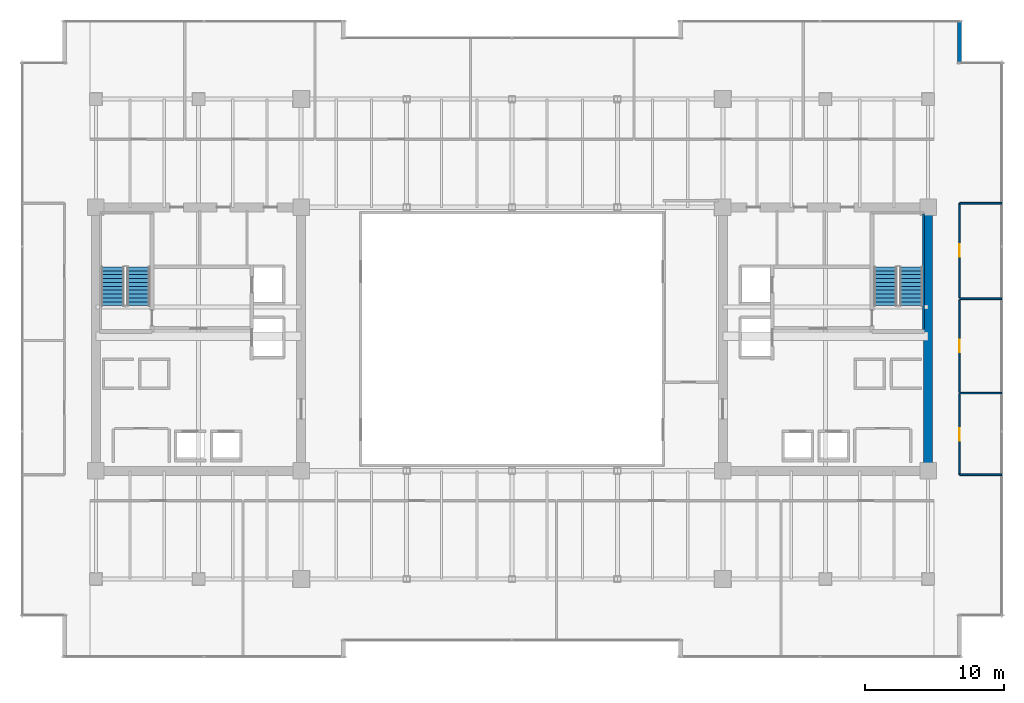
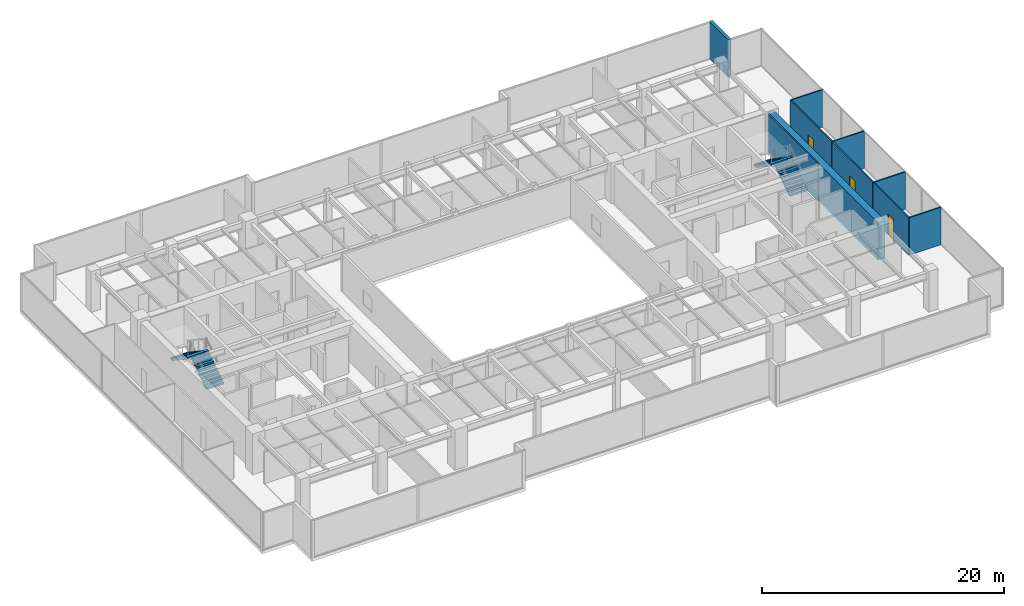
# One storey, part 28 of 33: 10 walls, 4 stair flights, 3 doors, 3 openings, 2 elements without a shape of their own.
"""IFC4 building model written with IfcOpenShell, lengths in metres."""

from ifc_helpers import new_model, si_unit, direction, frame, frame_2d, origin, place, context, subcontext, project, spatial, polyline, rectangle, outline, extrude, source, transform, mapped, material, layer, layer_set, type_object, type_shapes, element, fill, aggregate, save


model = new_model("IFC4")

# Units and contexts
model_context = context("Model", 3, precision=1e-05, world=origin(), true_north=direction((0.0, 1.0)))
body_context = subcontext(model_context, "Body", "Model", "MODEL_VIEW")
ifc_project = project(units=[si_unit("LENGTHUNIT", "METRE"), si_unit("AREAUNIT", "SQUARE_METRE"), si_unit("VOLUMEUNIT", "CUBIC_METRE"), si_unit("PLANEANGLEUNIT", "RADIAN"), si_unit("MASSUNIT", "GRAM", prefix="KILO")], contexts=[model_context])

# Site, building, storey
site_placement = place(None, origin())
site = spatial("IfcSite", under=ifc_project, at=site_placement, CompositionType="ELEMENT")
building_placement = place(site_placement, origin())
building = spatial("IfcBuilding", under=site, at=building_placement, Name="Haelvirn Gate Laboratories", CompositionType="ELEMENT")
storey_placement = place(building_placement, frame((0.0, 0.0, 166.60009765625)))
storey = spatial("IfcBuildingStorey", under=building, at=storey_placement, Name="L40", CompositionType="ELEMENT", Elevation=166.60009765625)

# Walls
ifc_material_1 = material(Name="Thermally-broken bronze aluminium rainscreen & mineral wool", Category="aluminium")
ifc_layer_1 = layer(ifc_material_1, 0.280029296875, Name="EW-TERR-280")
ifc_layer_set_1 = layer_set([ifc_layer_1], Name="Thermally-broken bronze aluminium rainscreen & mineral wool")
wall_type_1 = type_object("IfcWallType", Name="EW-TERR-280", PredefinedType="STANDARD", material=ifc_layer_set_1)
wall_1_placement = place(storey_placement, frame((69.659912109375, 44.2119140625, 0.0), z_axis=(0.0, 0.0, 1.0), x_axis=(0.0, 1.0, 0.0)))
element("IfcWall", 1, at=wall_1_placement, inside=storey, type_object=wall_type_1, Name="L40 Atrium Recess Bronze Return Wall 09", PredefinedType="STANDARD", context=body_context, shape_type="SweptSolid", body=[
    extrude(rectangle(XDim=3.088134765625, YDim=0.280029296875, at=frame_2d((1.5439453125, 0.0))), origin(), (0.0, 0.0, 1.0), 3.789794921875),
])
ifc_material_2 = material(Name="Lightweight acoustic gypsum board partition", Category="gypsum")
ifc_layer_2 = layer(ifc_material_2, 0.1201171875, Name="IW-PART-120")
ifc_layer_set_2 = layer_set([ifc_layer_2], Name="Lightweight acoustic gypsum board partition")
wall_type_2 = type_object("IfcWallType", Name="IW-PART-120", PredefinedType="PARTITIONING", material=ifc_layer_set_2)
for number, where, z_axis, x_axis, name in (
    (2, (69.669921875, 14.514892578125, 0.0), (0.0, 0.0, 1.0), (1.0, 0.0, 0.0), "L40 Interior Wall IW-L40-ECAP-S"),
    (3, (69.669921875, 34.0849609375, 0.0), (0.0, 0.0, 1.0), (1.0, 0.0, 0.0), "L40 Interior Wall IW-L40-ECAP-N"),
):
    element("IfcWall", number, at=place(storey_placement, frame(where, z_axis=z_axis, x_axis=x_axis)), inside=storey, type_object=wall_type_2, Name=name, PredefinedType="PARTITIONING", context=body_context, shape_type="SweptSolid", body=[
        extrude(rectangle(XDim=3.02001953125, YDim=0.1201171875, at=frame_2d((1.510009765625, 0.0))), origin(), (0.0, 0.0, 1.0), 3.789794921875),
    ])

# Wall, opening, door
wall_2_placement = place(storey_placement, frame((69.669921875, 14.514892578125, 0.0), z_axis=(0.0, 0.0, 1.0), x_axis=(0.0, 1.0, 0.0)))
wall_2 = element("IfcWall", 4, at=wall_2_placement, inside=storey, type_object=wall_type_2, Name="L40 Interior Wall IW-L40-EPASS-01", PredefinedType="PARTITIONING", context=body_context, shape_type="SweptSolid", body=[
    extrude(rectangle(XDim=5.8251953125, YDim=0.1201171875, at=frame_2d((2.91259765625, 0.0))), origin(), (0.0, 0.0, 1.0), 3.789794921875),
])
opening_1_placement = place(wall_2_placement, frame((2.46240234375, 0.0, 0.0)))
opening_1 = element("IfcOpeningElement", 5, at=opening_1_placement, cuts=wall_2, Name="Opening D4", PredefinedType="OPENING", context=body_context, shape_type="SweptSolid", body=[
    extrude(rectangle(XDim=0.89990234375, YDim=2.10009765625, at=frame_2d((0.449951171875, 1.050048828125))), frame((0.0, 0.070068359375, 0.0), z_axis=(0.0, -1.0, 0.0), x_axis=(1.0, 0.0, 0.0)), (0.0, 0.0, 1.0), 0.14013671875),
])
ifc_material_3 = material(Name="Glazed aluminium-framed write-up door", Category="aluminium")
door_type = type_object("IfcDoorType", Name="DR-OFF-900", OperationType="NOTDEFINED", PredefinedType="DOOR", material=ifc_material_3)
shared_shape_1 = source(origin(), body_context, "Body", "SweptSolid", [
    extrude(rectangle(XDim=0.89990234375, YDim=2.10009765625, at=frame_2d((0.449951171875, 1.050048828125))), frame((0.0, 0.02490234375, 0.0), z_axis=(0.0, -1.0, 0.0), x_axis=(1.0, 0.0, 0.0)), (0.0, 0.0, 1.0), 0.050048828125),
])
type_shapes(door_type, [shared_shape_1])
door_1_placement = place(opening_1_placement, origin())
door_1 = element("IfcDoor", 6, at=door_1_placement, inside=storey, type_object=door_type, Name="L40 Bioprocess Foundry Laboratory Door E1", OperationType="SINGLE_SWING_LEFT", OverallHeight=2.10009765625, OverallWidth=0.89990234375, PredefinedType="DOOR", context=body_context, shape_type="MappedRepresentation", body=[
    mapped(shared_shape_1, transform((0.0, 0.0, 0.0), scale=1.0)),
])
fill(opening_1, door_1)

# Wall
wall_3_placement = place(storey_placement, frame((69.669921875, 20.39990234375, 0.0), z_axis=(0.0, 0.0, 1.0), x_axis=(1.0, 0.0, 0.0)))
element("IfcWall", 7, at=wall_3_placement, inside=storey, type_object=wall_type_2, Name="L40 Interior Wall IW-L40-EDIV-01", PredefinedType="PARTITIONING", context=body_context, shape_type="SweptSolid", body=[
    extrude(rectangle(XDim=3.02001953125, YDim=0.1201171875, at=frame_2d((1.510009765625, 0.0))), origin(), (0.0, 0.0, 1.0), 3.789794921875),
])

# Wall, opening, door
wall_4_placement = place(storey_placement, frame((69.669921875, 20.4599609375, 0.0), z_axis=(0.0, 0.0, 1.0), x_axis=(0.0, 1.0, 0.0)))
wall_4 = element("IfcWall", 8, at=wall_4_placement, inside=storey, type_object=wall_type_2, Name="L40 Interior Wall IW-L40-EPASS-02", PredefinedType="PARTITIONING", context=body_context, shape_type="SweptSolid", body=[
    extrude(rectangle(XDim=6.679931640625, YDim=0.1201171875, at=frame_2d((3.33984375, 0.0))), origin(), (0.0, 0.0, 1.0), 3.789794921875),
])
opening_2_placement = place(wall_4_placement, frame((2.889892578125, 0.0, 0.0)))
opening_2 = element("IfcOpeningElement", 9, at=opening_2_placement, cuts=wall_4, Name="Opening D4", PredefinedType="OPENING", context=body_context, shape_type="SweptSolid", body=[
    extrude(rectangle(XDim=0.89990234375, YDim=2.10009765625, at=frame_2d((0.449951171875, 1.050048828125))), frame((0.0, 0.070068359375, 0.0), z_axis=(0.0, -1.0, 0.0), x_axis=(1.0, 0.0, 0.0)), (0.0, 0.0, 1.0), 0.14013671875),
])
door_2_placement = place(opening_2_placement, origin())
door_2 = element("IfcDoor", 10, at=door_2_placement, inside=storey, type_object=door_type, Name="L40 Genomics Assay Laboratory Door E2", OperationType="SINGLE_SWING_RIGHT", OverallHeight=2.10009765625, OverallWidth=0.89990234375, PredefinedType="DOOR", context=body_context, shape_type="MappedRepresentation", body=[
    mapped(shared_shape_1, transform((0.0, 0.0, 0.0), scale=1.0)),
])
fill(opening_2, door_2)

# Wall
wall_5_placement = place(storey_placement, frame((69.669921875, 27.199951171875, 0.0), z_axis=(0.0, 0.0, 1.0), x_axis=(1.0, 0.0, 0.0)))
element("IfcWall", 11, at=wall_5_placement, inside=storey, type_object=wall_type_2, Name="L40 Interior Wall IW-L40-EDIV-02", PredefinedType="PARTITIONING", context=body_context, shape_type="SweptSolid", body=[
    extrude(rectangle(XDim=3.02001953125, YDim=0.1201171875, at=frame_2d((1.510009765625, 0.0))), origin(), (0.0, 0.0, 1.0), 3.789794921875),
])

# Wall, opening, door
wall_6_placement = place(storey_placement, frame((69.669921875, 27.260009765625, 0.0), z_axis=(0.0, 0.0, 1.0), x_axis=(0.0, 1.0, 0.0)))
wall_6 = element("IfcWall", 12, at=wall_6_placement, inside=storey, type_object=wall_type_2, Name="L40 Interior Wall IW-L40-EPASS-03", PredefinedType="PARTITIONING", context=body_context, shape_type="SweptSolid", body=[
    extrude(rectangle(XDim=6.824951171875, YDim=0.1201171875, at=frame_2d((3.41259765625, 0.0))), origin(), (0.0, 0.0, 1.0), 3.789794921875),
])
opening_3_placement = place(wall_6_placement, frame((2.96240234375, 0.0, 0.0)))
opening_3 = element("IfcOpeningElement", 13, at=opening_3_placement, cuts=wall_6, Name="Opening D4", PredefinedType="OPENING", context=body_context, shape_type="SweptSolid", body=[
    extrude(rectangle(XDim=0.89990234375, YDim=2.10009765625, at=frame_2d((0.449951171875, 1.050048828125))), frame((0.0, 0.070068359375, 0.0), z_axis=(0.0, -1.0, 0.0), x_axis=(1.0, 0.0, 0.0)), (0.0, 0.0, 1.0), 0.14013671875),
])
door_3_placement = place(opening_3_placement, origin())
door_3 = element("IfcDoor", 14, at=door_3_placement, inside=storey, type_object=door_type, Name="L40 Proteomics Mass-Spec Laboratory Door E3", OperationType="SINGLE_SWING_LEFT", OverallHeight=2.10009765625, OverallWidth=0.89990234375, PredefinedType="DOOR", context=body_context, shape_type="MappedRepresentation", body=[
    mapped(shared_shape_1, transform((0.0, 0.0, 0.0), scale=1.0)),
])
fill(opening_3, door_3)

# Walls
ifc_material_4 = material(Name="Concrete C60/75", Category="concrete")
ifc_layer_3 = layer(ifc_material_4, 0.64990234375, Name="SW-CORE-650")
ifc_layer_set_3 = layer_set([ifc_layer_3], Name="Concrete C60/75")
wall_type_3 = type_object("IfcWallType", Name="SW-CORE-650", PredefinedType="SHEAR", material=ifc_layer_set_3)
wall_7_placement = place(storey_placement, frame((67.39990234375, 15.125, 0.0), z_axis=(0.0, 0.0, 1.0), x_axis=(0.0, 1.0, 0.0)))
element("IfcWall", 15, at=wall_7_placement, inside=storey, type_object=wall_type_3, Name="L40 E Core Shear Wall E", PredefinedType="SHEAR", context=body_context, shape_type="SweptSolid", body=[
    extrude(rectangle(XDim=18.35009765625, YDim=0.64990234375, at=frame_2d((9.175048828125, 0.0))), origin(), (0.0, 0.0, 1.0), 3.789794921875),
])
ifc_material_5 = material(Name="Concrete C50/60", Category="concrete")
ifc_layer_4 = layer(ifc_material_5, 0.1201171875, Name="SW-LINER-120")
ifc_layer_set_4 = layer_set([ifc_layer_4], Name="Concrete C50/60")
wall_type_4 = type_object("IfcWallType", Name="SW-LINER-120", PredefinedType="SOLIDWALL", material=ifc_layer_set_4)
wall_8_placement = place(storey_placement, frame((67.070068359375, 25.0, 0.0), z_axis=(0.0, 0.0, 1.0), x_axis=(0.0, 1.0, 0.0)))
element("IfcWall", 16, at=wall_8_placement, inside=storey, type_object=wall_type_4, Name="L40 E Core Stair Shaft Liner Wall OUT", PredefinedType="SOLIDWALL", context=body_context, shape_type="SweptSolid", body=[
    extrude(rectangle(XDim=8.320068359375, YDim=0.1201171875, at=frame_2d((4.16015625, 0.0))), origin(), (0.0, 0.0, 1.0), 3.789794921875),
])

# Stair, stair flights
ifc_material_6 = material(Name="Concrete C40/50", Category="concrete")
stair_type = type_object("IfcStairType", Name="ST-DOG-1650-R22", PredefinedType="HALF_TURN_STAIR", material=ifc_material_6)
stair_1_placement = place(storey_placement, origin())
stair_1 = element("IfcStair", 17, at=stair_1_placement, inside=storey, type_object=stair_type, Name="L40 Escape Stair ST1", PredefinedType="HALF_TURN_STAIR")
stair_flight_type = type_object("IfcStairFlightType", Name="STF-1650-R11", PredefinedType="STRAIGHT", material=ifc_material_6)
shared_shape_2 = source(origin(), body_context, "Body", "SweptSolid", [
    extrude(outline(polyline([(0.0, 0.0), (0.0, 0.186279296875), (0.280029296875, 0.186279296875), (0.280029296875, 0.372802734375), (0.56005859375, 0.372802734375), (0.56005859375, 0.55908203125), (0.840087890625, 0.55908203125), (0.840087890625, 0.745361328125), (1.1201171875, 0.745361328125), (1.1201171875, 0.931884765625), (1.39990234375, 0.931884765625), (1.39990234375, 1.1181640625), (1.679931640625, 1.1181640625), (1.679931640625, 1.304443359375), (1.9599609375, 1.304443359375), (1.9599609375, 1.490966796875), (2.239990234375, 1.490966796875), (2.239990234375, 1.67724609375), (2.52001953125, 1.67724609375), (2.52001953125, 1.863525390625), (2.800048828125, 1.863525390625), (2.800048828125, 2.050048828125), (2.800048828125, 1.671630859375), (0.28857421875, 0.0), (0.0, 0.0)])), frame((0.0, 0.824951171875, 0.0), z_axis=(0.0, -1.0, 0.0), x_axis=(1.0, 0.0, 0.0)), (0.0, 0.0, 1.0), 1.64990234375),
])
type_shapes(stair_flight_type, [shared_shape_2])
stair_flight_1_placement = place(storey_placement, frame((10.47509765625, 26.699951171875, 0.0), z_axis=(0.0, 0.0, 1.0), x_axis=(0.0, 1.0, 0.0)))
stair_flight_1 = element("IfcStairFlight", 18, at=stair_flight_1_placement, type_object=stair_flight_type, Name="ST1 flight 1", NumberOfRisers=11, NumberOfTreads=10, PredefinedType="STRAIGHT", RiserHeight=0.186363636, TreadLength=0.28, context=body_context, shape_type="MappedRepresentation", body=[
    mapped(shared_shape_2, transform((0.0, 0.0, 0.0), scale=1.0)),
])
stair_flight_2_placement = place(storey_placement, frame((8.625, 29.5, 2.0498046875), z_axis=(0.0, 0.0, 1.0), x_axis=(0.0, -1.0, 0.0)))
stair_flight_2 = element("IfcStairFlight", 19, at=stair_flight_2_placement, type_object=stair_flight_type, Name="ST1 flight 2", NumberOfRisers=11, NumberOfTreads=10, PredefinedType="STRAIGHT", RiserHeight=0.186363636, TreadLength=0.28, context=body_context, shape_type="MappedRepresentation", body=[
    mapped(shared_shape_2, transform((0.0, 0.0, 0.0), scale=1.0)),
])
aggregate(stair_1, [stair_flight_1, stair_flight_2])

stair_2_placement = place(storey_placement, origin())
stair_2 = element("IfcStair", 20, at=stair_2_placement, inside=storey, type_object=stair_type, Name="L40 Escape Stair ST2", PredefinedType="HALF_TURN_STAIR")
stair_flight_3_placement = place(storey_placement, frame((66.175048828125, 26.699951171875, 0.0), z_axis=(0.0, 0.0, 1.0), x_axis=(0.0, 1.0, 0.0)))
stair_flight_3 = element("IfcStairFlight", 21, at=stair_flight_3_placement, type_object=stair_flight_type, Name="ST2 flight 1", NumberOfRisers=11, NumberOfTreads=10, PredefinedType="STRAIGHT", RiserHeight=0.186363636, TreadLength=0.28, context=body_context, shape_type="MappedRepresentation", body=[
    mapped(shared_shape_2, transform((0.0, 0.0, 0.0), scale=1.0)),
])
stair_flight_4_placement = place(storey_placement, frame((64.324951171875, 29.5, 2.0498046875), z_axis=(0.0, 0.0, 1.0), x_axis=(0.0, -1.0, 0.0)))
stair_flight_4 = element("IfcStairFlight", 22, at=stair_flight_4_placement, type_object=stair_flight_type, Name="ST2 flight 2", NumberOfRisers=11, NumberOfTreads=10, PredefinedType="STRAIGHT", RiserHeight=0.186363636, TreadLength=0.28, context=body_context, shape_type="MappedRepresentation", body=[
    mapped(shared_shape_2, transform((0.0, 0.0, 0.0), scale=1.0)),
])
aggregate(stair_2, [stair_flight_3, stair_flight_4])

save(model, "model.ifc")
